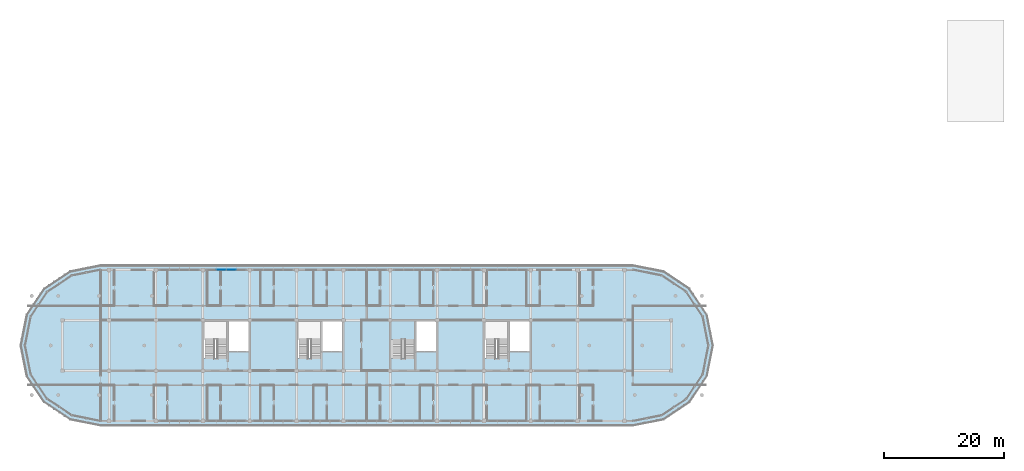
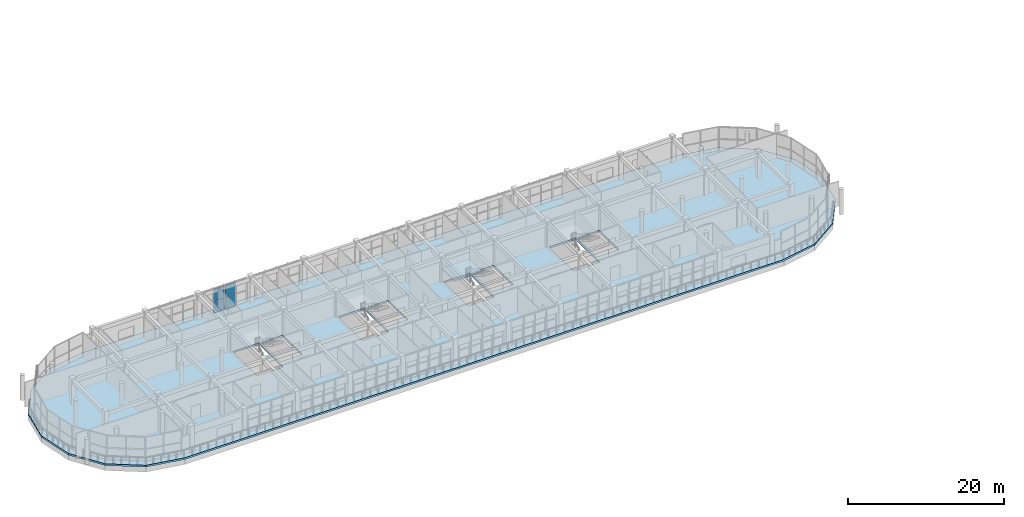
# One storey, part 42 of 57: 4 plates, 2 slabs, 2 elements without a shape of their own.
"""IFC4 building model written with IfcOpenShell, lengths in metres."""

from ifc_helpers import new_model, si_unit, direction, frame, origin, origin_2d, place, context, subcontext, project, spatial, polyline, rectangle, outline, extrude, material, layer, layer_set, type_object, element, aggregate, save


model = new_model("IFC4")

# Units and contexts
model_context = context("Model", 3, precision=1e-05, world=origin(), true_north=direction((0.0, 1.0)))
body_context = subcontext(model_context, "Body", "Model", "MODEL_VIEW")
ifc_project = project(units=[si_unit("LENGTHUNIT", "METRE"), si_unit("AREAUNIT", "SQUARE_METRE"), si_unit("VOLUMEUNIT", "CUBIC_METRE"), si_unit("PLANEANGLEUNIT", "RADIAN"), si_unit("MASSUNIT", "GRAM", prefix="KILO")], contexts=[model_context])

# Site, building, storey
site_placement = place(None, origin())
site = spatial("IfcSite", under=ifc_project, at=site_placement, CompositionType="ELEMENT")
building_placement = place(site_placement, origin())
building = spatial("IfcBuilding", under=site, at=building_placement, Name="Zizhar Promenade General Hospital", CompositionType="ELEMENT")
storey_placement = place(building_placement, frame((0.0, 0.0, 22.199951171875)))
storey = spatial("IfcBuildingStorey", under=building, at=storey_placement, Name="L05", CompositionType="ELEMENT", Elevation=22.199951171875)

# Curtain wall, plates
ifc_material_1 = material(Name="Anodised aluminium 6063-T6 and low-E glass", Category="aluminium")
ifc_layer_1 = layer(ifc_material_1, 0.159912109375)
ifc_layer_set_1 = layer_set([ifc_layer_1], Name="Anodised aluminium 6063-T6 and low-E glass")
curtain_wall_type = type_object("IfcCurtainWallType", Name="CW-WARD-RIB", PredefinedType="NOTDEFINED", material=ifc_layer_set_1)
curtain_wall_placement = place(storey_placement, origin())
curtain_wall = element("IfcCurtainWall", 1, at=curtain_wall_placement, inside=storey, type_object=curtain_wall_type, Name="Ward Ribbon Curtain Wall L05-8-2", PredefinedType="NOTDEFINED")
ifc_material_2 = material(Name="Low-E solar-control glass", Category="glass")
ifc_layer_2 = layer(ifc_material_2, 0.031982421875)
ifc_layer_set_2 = layer_set([ifc_layer_2], Name="Low-E solar-control glass")
plate_type = type_object("IfcPlateType", Name="CWP-GLZ-32", PredefinedType="CURTAIN_PANEL", material=ifc_layer_set_2)
plate_1_placement = place(storey_placement, frame((49.8701171875, 25.199951171875, 0.06005859375), z_axis=(0.0, 0.0, 1.0), x_axis=(1.0, 0.0, 0.0)))
plate_1 = element("IfcPlate", 2, at=plate_1_placement, type_object=plate_type, Name="CW-13 panel 2.1", PredefinedType="CURTAIN_PANEL", context=body_context, shape_type="SweptSolid", body=[
    extrude(rectangle(XDim=1.580078125, YDim=0.031982421875, at=origin_2d()), origin(), (0.0, 0.0, 1.0), 1.860107421875),
])
plate_2_placement = place(storey_placement, frame((49.8701171875, 25.199951171875, 1.97998046875), z_axis=(0.0, 0.0, 1.0), x_axis=(1.0, 0.0, 0.0)))
plate_2 = element("IfcPlate", 3, at=plate_2_placement, type_object=plate_type, Name="CW-13 panel 2.2", PredefinedType="CURTAIN_PANEL", context=body_context, shape_type="SweptSolid", body=[
    extrude(rectangle(XDim=1.580078125, YDim=0.031982421875, at=origin_2d()), origin(), (0.0, 0.0, 1.0), 1.860107421875),
])
plate_3_placement = place(storey_placement, frame((51.530029296875, 25.199951171875, 0.06005859375), z_axis=(0.0, 0.0, 1.0), x_axis=(1.0, 0.0, 0.0)))
plate_3 = element("IfcPlate", 4, at=plate_3_placement, type_object=plate_type, Name="CW-13 panel 3.1", PredefinedType="CURTAIN_PANEL", context=body_context, shape_type="SweptSolid", body=[
    extrude(rectangle(XDim=1.580078125, YDim=0.031982421875, at=origin_2d()), origin(), (0.0, 0.0, 1.0), 1.860107421875),
])
plate_4_placement = place(storey_placement, frame((51.530029296875, 25.199951171875, 1.97998046875), z_axis=(0.0, 0.0, 1.0), x_axis=(1.0, 0.0, 0.0)))
plate_4 = element("IfcPlate", 5, at=plate_4_placement, type_object=plate_type, Name="CW-13 panel 3.2", PredefinedType="CURTAIN_PANEL", context=body_context, shape_type="SweptSolid", body=[
    extrude(rectangle(XDim=1.580078125, YDim=0.031982421875, at=origin_2d()), origin(), (0.0, 0.0, 1.0), 1.860107421875),
])
aggregate(curtain_wall, [plate_1, plate_2, plate_3, plate_4])

# Slab
ifc_material_3 = material(Name="Concrete C35/45", Category="concrete")
ifc_layer_3 = layer(ifc_material_3, 0.280029296875)
ifc_layer_set_3 = layer_set([ifc_layer_3], Name="Concrete C35/45")
slab_type_1 = type_object("IfcSlabType", Name="SLB-FLR-280", PredefinedType="FLOOR", material=ifc_layer_set_3)
slab_1_placement = place(storey_placement, frame((0.0, 0.0, -0.280029296875)))
element("IfcSlab", 6, at=slab_1_placement, inside=storey, type_object=slab_type_1, Name="Level L05 Inpatient Ward Pillow Floor Slab", PredefinedType="FLOOR", context=body_context, shape_type="SweptSolid", body=[
    extrude(outline(polyline([(118.39990234375, -0.85009765625), (123.547119140625, 0.173828125), (127.91064453125, 3.08935546875), (130.826171875, 7.452880859375), (131.85009765625, 12.60009765625), (130.826171875, 17.7470703125), (127.91064453125, 22.110595703125), (123.547119140625, 25.026123046875), (118.39990234375, 26.050048828125), (29.800048828125, 26.050048828125), (24.65283203125, 25.026123046875), (20.289306640625, 22.110595703125), (17.373779296875, 17.7470703125), (16.35009765625, 12.60009765625), (17.373779296875, 7.452880859375), (20.289306640625, 3.08935546875), (24.65283203125, 0.173828125), (29.800048828125, -0.85009765625), (118.39990234375, -0.85009765625)]), holes=[polyline([(46.97998046875, 10.429931640625), (46.97998046875, 16.6201171875), (50.8798828125, 16.6201171875), (50.8798828125, 10.429931640625), (46.97998046875, 10.429931640625)]), polyline([(51.14990234375, 11.6201171875), (51.14990234375, 16.580078125), (54.3798828125, 16.580078125), (54.3798828125, 11.6201171875), (51.14990234375, 11.6201171875)]), polyline([(62.580078125, 10.429931640625), (62.580078125, 16.6201171875), (66.47998046875, 16.6201171875), (66.47998046875, 10.429931640625), (62.580078125, 10.429931640625)]), polyline([(66.75, 11.6201171875), (66.75, 16.580078125), (69.97998046875, 16.580078125), (69.97998046875, 11.6201171875), (66.75, 11.6201171875)]), polyline([(78.179931640625, 10.429931640625), (78.179931640625, 16.6201171875), (82.080078125, 16.6201171875), (82.080078125, 10.429931640625), (78.179931640625, 10.429931640625)]), polyline([(82.35009765625, 11.6201171875), (82.35009765625, 16.580078125), (85.580078125, 16.580078125), (85.580078125, 11.6201171875), (82.35009765625, 11.6201171875)]), polyline([(93.780029296875, 10.429931640625), (93.780029296875, 16.6201171875), (97.679931640625, 16.6201171875), (97.679931640625, 10.429931640625), (93.780029296875, 10.429931640625)]), polyline([(97.949951171875, 11.6201171875), (97.949951171875, 16.580078125), (101.179931640625, 16.580078125), (101.179931640625, 11.6201171875), (97.949951171875, 11.6201171875)])]), origin(), (0.0, 0.0, 1.0), 0.280029296875),
])

# Stair, slab
ifc_material_4 = material(Name="Concrete C35/45", Category="concrete")
stair_type = type_object("IfcStairType", Name="STR-DOG-420", PredefinedType="HALF_TURN_STAIR", material=ifc_material_4)
stair_placement = place(storey_placement, origin())
stair = element("IfcStair", 7, at=stair_placement, inside=storey, type_object=stair_type, Name="Exit Stair ST-04 (L05 to L06)", PredefinedType="HALF_TURN_STAIR")
ifc_material_5 = material(Name="Concrete C35/45", Category="concrete")
ifc_layer_4 = layer(ifc_material_5, 0.2099609375)
ifc_layer_set_4 = layer_set([ifc_layer_4], Name="Concrete C35/45")
slab_type_2 = type_object("IfcSlabType", Name="SLB-LAND-420", PredefinedType="LANDING", material=ifc_layer_set_4)
slab_2_placement = place(storey_placement, frame((0.0, 0.0, 1.89013671875)))
slab_2 = element("IfcSlab", 8, at=slab_2_placement, type_object=slab_type_2, Name="ST-04C landing 1", PredefinedType="LANDING", context=body_context, shape_type="SweptSolid", body=[
    extrude(outline(polyline([(78.0, 13.570068359375), (82.14990234375, 13.570068359375), (82.14990234375, 16.800048828125), (78.0, 16.800048828125), (78.0, 13.570068359375)])), origin(), (0.0, 0.0, 1.0), 0.2099609375),
])
aggregate(stair, [slab_2])

save(model, "model.ifc")
